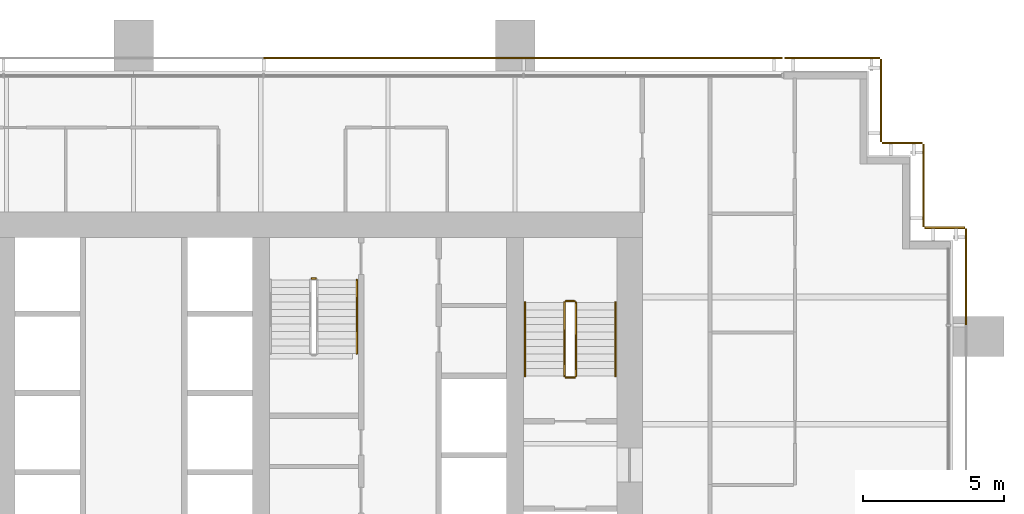
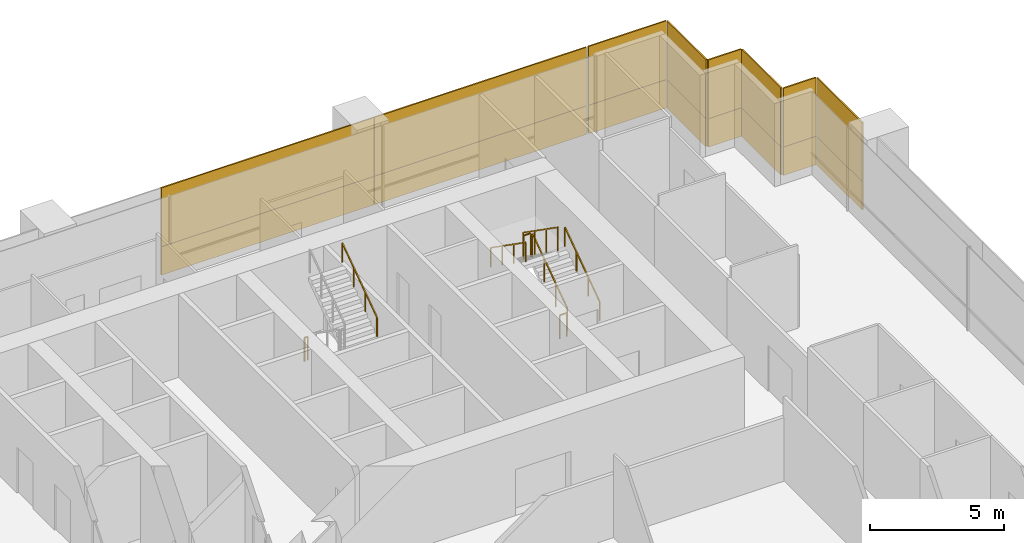
# One storey, part 17 of 17: 16 coverings, 8 railings.
"""IFC4 building model written with IfcOpenShell, lengths in metres."""

from ifc_helpers import new_model, si_unit, direction, frame, origin, origin_2d, place, context, subcontext, project, spatial, rectangle, extrude, material, layer, layer_set, type_object, element, save


model = new_model("IFC4")

# Units and contexts
model_context = context("Model", 3, precision=1e-05, world=origin(), true_north=direction((0.0, 1.0)))
body_context = subcontext(model_context, "Body", "Model", "MODEL_VIEW")
ifc_project = project(units=[si_unit("LENGTHUNIT", "METRE"), si_unit("AREAUNIT", "SQUARE_METRE"), si_unit("VOLUMEUNIT", "CUBIC_METRE"), si_unit("PLANEANGLEUNIT", "RADIAN"), si_unit("MASSUNIT", "GRAM", prefix="KILO")], contexts=[model_context])

# Site, building, storey
site_placement = place(None, origin())
site = spatial("IfcSite", under=ifc_project, at=site_placement, CompositionType="ELEMENT")
building_placement = place(site_placement, origin())
building = spatial("IfcBuilding", under=site, at=building_placement, Name="Rattan Terrace Tower", CompositionType="ELEMENT")
storey_placement = place(building_placement, frame((0.0, 0.0, 146.10009765625)))
storey = spatial("IfcBuildingStorey", under=building, at=storey_placement, Name="L33", CompositionType="ELEMENT", Elevation=146.10009765625)

# Railings
ifc_material_1 = material(Name="Powder-coated steel guard", Category="steel")
railing_type_1 = type_object("IfcRailingType", Name="Core stair guard", PredefinedType="GUARDRAIL", material=ifc_material_1)
railing_1_placement = place(storey_placement, frame((15.64990234375, 1.699951171875, 0.181640625)))
element("IfcRailing", 1, at=railing_1_placement, inside=storey, type_object=railing_type_1, Name="L33 S2 stair guard 1", PredefinedType="GUARDRAIL", context=body_context, shape_type="SweptSolid", body=[
    extrude(rectangle(XDim=0.048095703125, YDim=0.048095703125, at=origin_2d()), frame((0.0, 0.0, 1.076171875), z_axis=(0.0, 0.819484887739, 0.573100792852), x_axis=(-1.0, 0.0, 0.0)), (0.0, 0.0, 1.0), 3.1728515625),
    extrude(rectangle(XDim=0.0419921875, YDim=0.0419921875, at=origin_2d()), origin(), (0.0, 0.0, 1.0), 1.052001953125),
    extrude(rectangle(XDim=0.0419921875, YDim=0.0419921875, at=origin_2d()), frame((0.0, 0.86669921875, 0.606201171875)), (0.0, 0.0, 1.0), 1.052001953125),
    extrude(rectangle(XDim=0.0419921875, YDim=0.0419921875, at=origin_2d()), frame((0.0, 1.7333984375, 1.212158203125)), (0.0, 0.0, 1.0), 1.052001953125),
    extrude(rectangle(XDim=0.0419921875, YDim=0.0419921875, at=origin_2d()), frame((0.0, 2.60009765625, 1.818359375)), (0.0, 0.0, 1.0), 1.052001953125),
])
railing_2_placement = place(storey_placement, frame((15.60009765625, 4.35009765625, 2.0)))
element("IfcRailing", 2, at=railing_2_placement, inside=storey, type_object=railing_type_1, Name="L33 S2 stair guard 2", PredefinedType="GUARDRAIL", context=body_context, shape_type="SweptSolid", body=[
    extrude(rectangle(XDim=0.048095703125, YDim=0.048095703125, at=origin_2d()), frame((0.0, 0.0, 1.076171875), z_axis=(-1.0, 0.0, 0.0), x_axis=(0.0, -1.0, 0.0)), (0.0, 0.0, 1.0), 0.300048828125),
    extrude(rectangle(XDim=0.0419921875, YDim=0.0419921875, at=origin_2d()), origin(), (0.0, 0.0, 1.0), 1.052001953125),
    extrude(rectangle(XDim=0.0419921875, YDim=0.0419921875, at=origin_2d()), frame((-0.300048828125, 0.0, 0.0)), (0.0, 0.0, 1.0), 1.052001953125),
])
railing_3_placement = place(storey_placement, frame((15.25, 4.300048828125, 2.181640625)))
element("IfcRailing", 3, at=railing_3_placement, inside=storey, type_object=railing_type_1, Name="L33 S2 stair guard 3", PredefinedType="GUARDRAIL", context=body_context, shape_type="SweptSolid", body=[
    extrude(rectangle(XDim=0.048095703125, YDim=0.048095703125, at=origin_2d()), frame((0.0, 0.0, 1.076171875), z_axis=(0.0, -0.819484887739, 0.573100792852), x_axis=(1.0, 0.0, 0.0)), (0.0, 0.0, 1.0), 3.1728515625),
    extrude(rectangle(XDim=0.0419921875, YDim=0.0419921875, at=origin_2d()), origin(), (0.0, 0.0, 1.0), 1.052001953125),
    extrude(rectangle(XDim=0.0419921875, YDim=0.0419921875, at=origin_2d()), frame((0.0, -0.86669921875, 0.606201171875)), (0.0, 0.0, 1.0), 1.052001953125),
    extrude(rectangle(XDim=0.0419921875, YDim=0.0419921875, at=origin_2d()), frame((0.0, -1.7333984375, 1.212158203125)), (0.0, 0.0, 1.0), 1.052001953125),
    extrude(rectangle(XDim=0.0419921875, YDim=0.0419921875, at=origin_2d()), frame((0.0, -2.60009765625, 1.818359375)), (0.0, 0.0, 1.0), 1.052001953125),
])
railing_4_placement = place(storey_placement, frame((15.60009765625, 1.64990234375, 0.0)))
element("IfcRailing", 4, at=railing_4_placement, inside=storey, type_object=railing_type_1, Name="L33 S2 stair guard 4", PredefinedType="GUARDRAIL", context=body_context, shape_type="SweptSolid", body=[
    extrude(rectangle(XDim=0.048095703125, YDim=0.048095703125, at=origin_2d()), frame((0.0, 0.0, 1.076171875), z_axis=(-1.0, 0.0, 0.0), x_axis=(0.0, -1.0, 0.0)), (0.0, 0.0, 1.0), 0.300048828125),
    extrude(rectangle(XDim=0.0419921875, YDim=0.0419921875, at=origin_2d()), origin(), (0.0, 0.0, 1.0), 1.052001953125),
    extrude(rectangle(XDim=0.0419921875, YDim=0.0419921875, at=origin_2d()), frame((-0.300048828125, 0.0, 0.0)), (0.0, 0.0, 1.0), 1.052001953125),
])
railing_5_placement = place(storey_placement, frame((6.300048828125, 5.14990234375, 0.0)))
element("IfcRailing", 5, at=railing_5_placement, inside=storey, type_object=railing_type_1, Name="L33 S3 stair guard 4", PredefinedType="GUARDRAIL", context=body_context, shape_type="SweptSolid", body=[
    extrude(rectangle(XDim=0.048095703125, YDim=0.048095703125, at=origin_2d()), frame((0.0, 0.0, 1.076171875), z_axis=(1.0, 0.0, 0.0), x_axis=(0.0, 1.0, 0.0)), (0.0, 0.0, 1.0), 0.14990234375),
    extrude(rectangle(XDim=0.0419921875, YDim=0.0419921875, at=origin_2d()), origin(), (0.0, 0.0, 1.0), 1.052001953125),
    extrude(rectangle(XDim=0.0419921875, YDim=0.0419921875, at=origin_2d()), frame((0.14990234375, 0.0, 0.0)), (0.0, 0.0, 1.0), 1.052001953125),
])
ifc_material_2 = material(Name="Powder-coated steel handrail", Category="steel")
railing_type_2 = type_object("IfcRailingType", Name="Core stair handrail", PredefinedType="HANDRAIL", material=ifc_material_2)
railing_6_placement = place(storey_placement, frame((17.050048828125, 1.699951171875, 0.181640625)))
element("IfcRailing", 6, at=railing_6_placement, inside=storey, type_object=railing_type_2, Name="L33 S2 stair handrail 1", PredefinedType="HANDRAIL", context=body_context, shape_type="SweptSolid", body=[
    extrude(rectangle(XDim=0.048095703125, YDim=0.048095703125, at=origin_2d()), frame((0.0, 0.0, 0.8759765625), z_axis=(0.0, 0.819484887739, 0.573100792852), x_axis=(-1.0, 0.0, 0.0)), (0.0, 0.0, 1.0), 3.1728515625),
    extrude(rectangle(XDim=0.0419921875, YDim=0.0419921875, at=origin_2d()), origin(), (0.0, 0.0, 1.0), 0.851806640625),
    extrude(rectangle(XDim=0.0419921875, YDim=0.0419921875, at=origin_2d()), frame((0.0, 0.86669921875, 0.606201171875)), (0.0, 0.0, 1.0), 0.851806640625),
    extrude(rectangle(XDim=0.0419921875, YDim=0.0419921875, at=origin_2d()), frame((0.0, 1.7333984375, 1.212158203125)), (0.0, 0.0, 1.0), 0.851806640625),
    extrude(rectangle(XDim=0.0419921875, YDim=0.0419921875, at=origin_2d()), frame((0.0, 2.60009765625, 1.818359375)), (0.0, 0.0, 1.0), 0.851806640625),
])
railing_7_placement = place(storey_placement, frame((13.85009765625, 4.300048828125, 2.181640625)))
element("IfcRailing", 7, at=railing_7_placement, inside=storey, type_object=railing_type_2, Name="L33 S2 stair handrail 2", PredefinedType="HANDRAIL", context=body_context, shape_type="SweptSolid", body=[
    extrude(rectangle(XDim=0.048095703125, YDim=0.048095703125, at=origin_2d()), frame((0.0, 0.0, 0.8759765625), z_axis=(0.0, -0.819484887739, 0.573100792852), x_axis=(1.0, 0.0, 0.0)), (0.0, 0.0, 1.0), 3.1728515625),
    extrude(rectangle(XDim=0.0419921875, YDim=0.0419921875, at=origin_2d()), origin(), (0.0, 0.0, 1.0), 0.851806640625),
    extrude(rectangle(XDim=0.0419921875, YDim=0.0419921875, at=origin_2d()), frame((0.0, -0.86669921875, 0.606201171875)), (0.0, 0.0, 1.0), 0.851806640625),
    extrude(rectangle(XDim=0.0419921875, YDim=0.0419921875, at=origin_2d()), frame((0.0, -1.7333984375, 1.212158203125)), (0.0, 0.0, 1.0), 0.851806640625),
    extrude(rectangle(XDim=0.0419921875, YDim=0.0419921875, at=origin_2d()), frame((0.0, -2.60009765625, 1.818359375)), (0.0, 0.0, 1.0), 0.851806640625),
])
railing_8_placement = place(storey_placement, frame((7.89990234375, 2.5, 2.181640625)))
element("IfcRailing", 8, at=railing_8_placement, inside=storey, type_object=railing_type_2, Name="L33 S3 stair handrail 2", PredefinedType="HANDRAIL", context=body_context, shape_type="SweptSolid", body=[
    extrude(rectangle(XDim=0.048095703125, YDim=0.048095703125, at=origin_2d()), frame((0.0, 0.0, 0.8759765625), z_axis=(0.0, 0.819484887739, 0.573100792852), x_axis=(-1.0, 0.0, 0.0)), (0.0, 0.0, 1.0), 3.1728515625),
    extrude(rectangle(XDim=0.0419921875, YDim=0.0419921875, at=origin_2d()), origin(), (0.0, 0.0, 1.0), 0.851806640625),
    extrude(rectangle(XDim=0.0419921875, YDim=0.0419921875, at=origin_2d()), frame((0.0, 0.86669921875, 0.606201171875)), (0.0, 0.0, 1.0), 0.851806640625),
    extrude(rectangle(XDim=0.0419921875, YDim=0.0419921875, at=origin_2d()), frame((0.0, 1.7333984375, 1.212158203125)), (0.0, 0.0, 1.0), 0.851806640625),
    extrude(rectangle(XDim=0.0419921875, YDim=0.0419921875, at=origin_2d()), frame((0.0, 2.60009765625, 1.818359375)), (0.0, 0.0, 1.0), 0.851806640625),
])

# Coverings
ifc_material_3 = material(Name="Solid terracotta", Category="masonry")
ifc_layer_1 = layer(ifc_material_3, 0.06005859375)
ifc_layer_set_1 = layer_set([ifc_layer_1], Name="Facade Terracotta Band Panel")
covering_type_1 = type_object("IfcCoveringType", Name="Facade Terracotta Band Panel", PredefinedType="CLADDING", material=ifc_layer_set_1)
covering_1_placement = place(storey_placement, frame((29.449951171875, 5.2099609375, -0.18994140625), z_axis=(0.0, 0.0, 1.0), x_axis=(0.0, 1.0, 0.0)))
element("IfcCovering", 9, at=covering_1_placement, inside=storey, type_object=covering_type_1, Name="OUTER SKIN panel L33-9A", PredefinedType="CLADDING", context=body_context, shape_type="SweptSolid", body=[
    extrude(rectangle(XDim=3.39990234375, YDim=0.06005859375, at=origin_2d()), origin(), (0.0, 0.0, 1.0), 1.300048828125),
])
covering_2_placement = place(storey_placement, frame((28.699951171875, 6.949951171875, -0.18994140625), z_axis=(0.0, 0.0, 1.0), x_axis=(-1.0, 0.0, 0.0)))
element("IfcCovering", 10, at=covering_2_placement, inside=storey, type_object=covering_type_1, Name="OUTER SKIN panel L33-10A", PredefinedType="CLADDING", context=body_context, shape_type="SweptSolid", body=[
    extrude(rectangle(XDim=1.419921875, YDim=0.06005859375, at=origin_2d()), origin(), (0.0, 0.0, 1.0), 1.300048828125),
])
covering_3_placement = place(storey_placement, frame((27.949951171875, 8.449951171875, -0.18994140625), z_axis=(0.0, 0.0, 1.0), x_axis=(0.0, 1.0, 0.0)))
element("IfcCovering", 11, at=covering_3_placement, inside=storey, type_object=covering_type_1, Name="OUTER SKIN panel L33-11A", PredefinedType="CLADDING", context=body_context, shape_type="SweptSolid", body=[
    extrude(rectangle(XDim=2.919921875, YDim=0.06005859375, at=origin_2d()), origin(), (0.0, 0.0, 1.0), 1.300048828125),
])
covering_4_placement = place(storey_placement, frame((27.199951171875, 9.949951171875, -0.18994140625), z_axis=(0.0, 0.0, 1.0), x_axis=(-1.0, 0.0, 0.0)))
element("IfcCovering", 12, at=covering_4_placement, inside=storey, type_object=covering_type_1, Name="OUTER SKIN panel L33-12A", PredefinedType="CLADDING", context=body_context, shape_type="SweptSolid", body=[
    extrude(rectangle(XDim=1.419921875, YDim=0.06005859375, at=origin_2d()), origin(), (0.0, 0.0, 1.0), 1.300048828125),
])
covering_5_placement = place(storey_placement, frame((26.449951171875, 11.449951171875, -0.18994140625), z_axis=(0.0, 0.0, 1.0), x_axis=(0.0, 1.0, 0.0)))
element("IfcCovering", 13, at=covering_5_placement, inside=storey, type_object=covering_type_1, Name="OUTER SKIN panel L33-13A", PredefinedType="CLADDING", context=body_context, shape_type="SweptSolid", body=[
    extrude(rectangle(XDim=2.919921875, YDim=0.06005859375, at=origin_2d()), origin(), (0.0, 0.0, 1.0), 1.300048828125),
])
covering_6_placement = place(storey_placement, frame((24.72509765625, 12.949951171875, -0.18994140625), z_axis=(0.0, 0.0, 1.0), x_axis=(-1.0, 0.0, 0.0)))
element("IfcCovering", 14, at=covering_6_placement, inside=storey, type_object=covering_type_1, Name="OUTER SKIN panel L33-14A", PredefinedType="CLADDING", context=body_context, shape_type="SweptSolid", body=[
    extrude(rectangle(XDim=3.3701171875, YDim=0.06005859375, at=origin_2d()), origin(), (0.0, 0.0, 1.0), 1.300048828125),
])
covering_7_placement = place(storey_placement, frame((18.384521484375, 12.949951171875, -0.18994140625), z_axis=(0.0, 0.0, 1.0), x_axis=(-1.0, 0.0, 0.0)))
element("IfcCovering", 15, at=covering_7_placement, inside=storey, type_object=covering_type_1, Name="OUTER SKIN panel L33-15A", PredefinedType="CLADDING", context=body_context, shape_type="SweptSolid", body=[
    extrude(rectangle(XDim=9.15087890625, YDim=0.06005859375, at=origin_2d()), origin(), (0.0, 0.0, 1.0), 1.300048828125),
])
covering_8_placement = place(storey_placement, frame((9.198486328125, 12.949951171875, -0.18994140625), z_axis=(0.0, 0.0, 1.0), x_axis=(-1.0, 0.0, 0.0)))
element("IfcCovering", 16, at=covering_8_placement, inside=storey, type_object=covering_type_1, Name="OUTER SKIN panel L33-16A", PredefinedType="CLADDING", context=body_context, shape_type="SweptSolid", body=[
    extrude(rectangle(XDim=9.180908203125, YDim=0.06005859375, at=origin_2d()), origin(), (0.0, 0.0, 1.0), 1.300048828125),
])
ifc_material_4 = material(Name="Perforated terracotta", Category="masonry")
ifc_layer_2 = layer(ifc_material_4, 0.06005859375)
ifc_layer_set_2 = layer_set([ifc_layer_2], Name="Facade Terracotta Screen Panel")
covering_type_2 = type_object("IfcCoveringType", Name="Facade Terracotta Screen Panel", PredefinedType="CLADDING", material=ifc_layer_set_2)
covering_9_placement = place(storey_placement, frame((29.449951171875, 5.2099609375, 1.10986328125), z_axis=(0.0, 0.0, 1.0), x_axis=(0.0, 1.0, 0.0)))
element("IfcCovering", 17, at=covering_9_placement, inside=storey, type_object=covering_type_2, Name="OUTER SKIN panel L33-9B", PredefinedType="CLADDING", context=body_context, shape_type="SweptSolid", body=[
    extrude(rectangle(XDim=3.39990234375, YDim=0.06005859375, at=origin_2d()), origin(), (0.0, 0.0, 1.0), 2.679931640625),
])
covering_10_placement = place(storey_placement, frame((28.699951171875, 6.949951171875, 1.10986328125), z_axis=(0.0, 0.0, 1.0), x_axis=(-1.0, 0.0, 0.0)))
element("IfcCovering", 18, at=covering_10_placement, inside=storey, type_object=covering_type_2, Name="OUTER SKIN panel L33-10B", PredefinedType="CLADDING", context=body_context, shape_type="SweptSolid", body=[
    extrude(rectangle(XDim=1.419921875, YDim=0.06005859375, at=origin_2d()), origin(), (0.0, 0.0, 1.0), 2.679931640625),
])
covering_11_placement = place(storey_placement, frame((27.949951171875, 8.449951171875, 1.10986328125), z_axis=(0.0, 0.0, 1.0), x_axis=(0.0, 1.0, 0.0)))
element("IfcCovering", 19, at=covering_11_placement, inside=storey, type_object=covering_type_2, Name="OUTER SKIN panel L33-11B", PredefinedType="CLADDING", context=body_context, shape_type="SweptSolid", body=[
    extrude(rectangle(XDim=2.919921875, YDim=0.06005859375, at=origin_2d()), origin(), (0.0, 0.0, 1.0), 2.679931640625),
])
covering_12_placement = place(storey_placement, frame((27.199951171875, 9.949951171875, 1.10986328125), z_axis=(0.0, 0.0, 1.0), x_axis=(-1.0, 0.0, 0.0)))
element("IfcCovering", 20, at=covering_12_placement, inside=storey, type_object=covering_type_2, Name="OUTER SKIN panel L33-12B", PredefinedType="CLADDING", context=body_context, shape_type="SweptSolid", body=[
    extrude(rectangle(XDim=1.419921875, YDim=0.06005859375, at=origin_2d()), origin(), (0.0, 0.0, 1.0), 2.679931640625),
])
covering_13_placement = place(storey_placement, frame((26.449951171875, 11.449951171875, 1.10986328125), z_axis=(0.0, 0.0, 1.0), x_axis=(0.0, 1.0, 0.0)))
element("IfcCovering", 21, at=covering_13_placement, inside=storey, type_object=covering_type_2, Name="OUTER SKIN panel L33-13B", PredefinedType="CLADDING", context=body_context, shape_type="SweptSolid", body=[
    extrude(rectangle(XDim=2.919921875, YDim=0.06005859375, at=origin_2d()), origin(), (0.0, 0.0, 1.0), 2.679931640625),
])
covering_14_placement = place(storey_placement, frame((24.72509765625, 12.949951171875, 1.10986328125), z_axis=(0.0, 0.0, 1.0), x_axis=(-1.0, 0.0, 0.0)))
element("IfcCovering", 22, at=covering_14_placement, inside=storey, type_object=covering_type_2, Name="OUTER SKIN panel L33-14B", PredefinedType="CLADDING", context=body_context, shape_type="SweptSolid", body=[
    extrude(rectangle(XDim=3.3701171875, YDim=0.06005859375, at=origin_2d()), origin(), (0.0, 0.0, 1.0), 2.679931640625),
])
covering_15_placement = place(storey_placement, frame((18.384521484375, 12.949951171875, 1.10986328125), z_axis=(0.0, 0.0, 1.0), x_axis=(-1.0, 0.0, 0.0)))
element("IfcCovering", 23, at=covering_15_placement, inside=storey, type_object=covering_type_2, Name="OUTER SKIN panel L33-15B", PredefinedType="CLADDING", context=body_context, shape_type="SweptSolid", body=[
    extrude(rectangle(XDim=9.15087890625, YDim=0.06005859375, at=origin_2d()), origin(), (0.0, 0.0, 1.0), 2.679931640625),
])
covering_16_placement = place(storey_placement, frame((9.198486328125, 12.949951171875, 1.10986328125), z_axis=(0.0, 0.0, 1.0), x_axis=(-1.0, 0.0, 0.0)))
element("IfcCovering", 24, at=covering_16_placement, inside=storey, type_object=covering_type_2, Name="OUTER SKIN panel L33-16B", PredefinedType="CLADDING", context=body_context, shape_type="SweptSolid", body=[
    extrude(rectangle(XDim=9.180908203125, YDim=0.06005859375, at=origin_2d()), origin(), (0.0, 0.0, 1.0), 2.679931640625),
])

save(model, "model.ifc")
